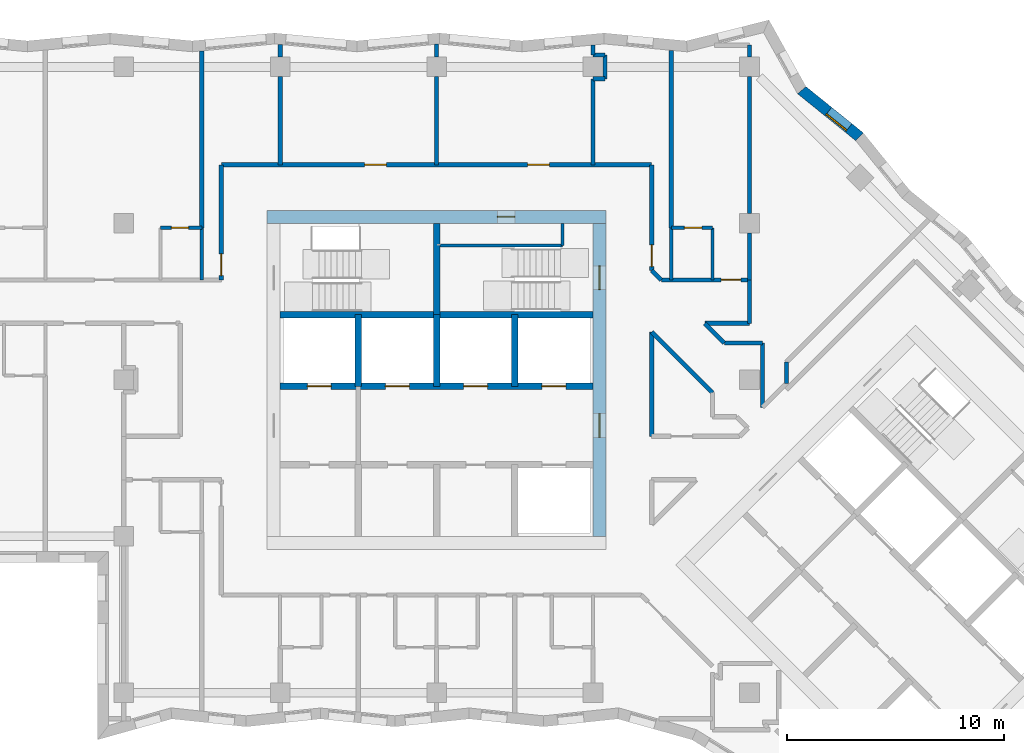
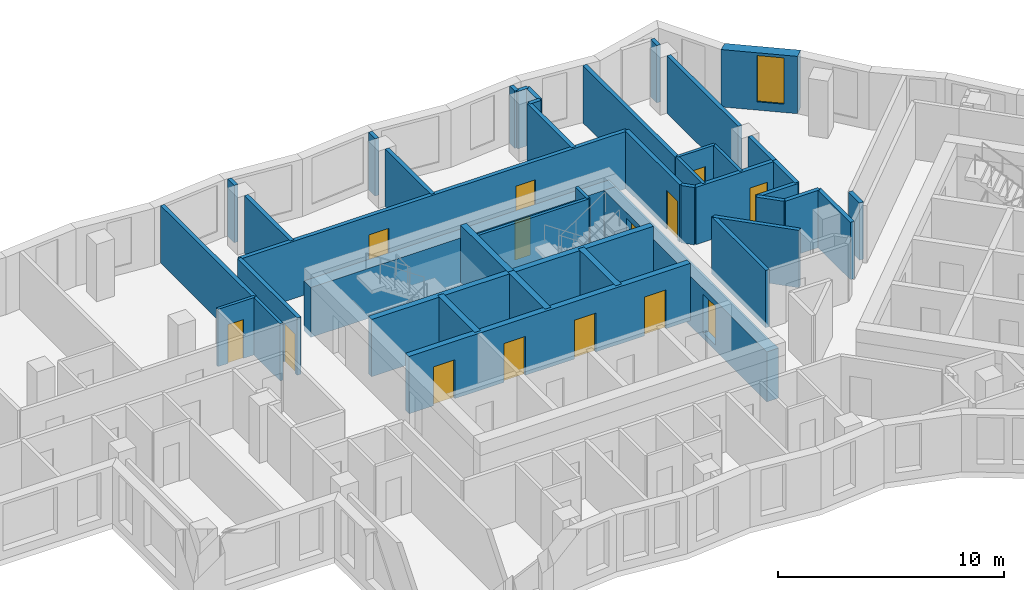
# One storey, part 6 of 12: 44 walls, 14 doors, 1 window, 15 openings.
"""IFC4 building model written with IfcOpenShell, lengths in metres."""

import ifcopenshell
import ifcopenshell.guid

model = None  # the IFC model being written
_history = None  # IfcOwnerHistory: only IFC2X3 demands one
_inside = {}  # id of a spatial element -> (the spatial element, [elements in it])
_under = {}  # id of a project, library or spatial element -> (it, [spatial elements below it])
_declared = {}  # id of a project -> (the project, [libraries it declares])
_typed = {}  # id of a type object -> (the type object, [elements of that type])
_made_of = {}  # id of a material, layer set ... -> (it, [elements and type objects made of it])


def new_model(schema):
    """Start an empty IFC model of exactly this schema.

    Asked for "IFC4X3", IfcOpenShell would pick the latest addendum, in which some entities
    have other attributes; the version numbers below select the first issue.
    IFC2X3 requires an IfcOwnerHistory on every rooted entity: one is made here for all.
    """
    global model, _history
    if schema == "IFC4X3":
        model = ifcopenshell.file(schema_version=(4, 3, 0, 0))
    else:
        model = ifcopenshell.file(schema=schema)
    _inside.clear()
    _under.clear()
    _declared.clear()
    _typed.clear()
    _made_of.clear()
    _history = None
    if model.schema == "IFC2X3":
        org = make("IfcOrganization", Name="unknown")
        user = make(
            "IfcPersonAndOrganization",
            ThePerson=make("IfcPerson", FamilyName="unknown"),
            TheOrganization=org,
        )
        app = make(
            "IfcApplication",
            ApplicationDeveloper=org,
            Version="unknown",
            ApplicationFullName="unknown",
            ApplicationIdentifier="unknown",
        )
        _history = make(
            "IfcOwnerHistory",
            OwningUser=user,
            OwningApplication=app,
            ChangeAction="ADDED",
            CreationDate=0,
        )
    return model


def make(cls, **values):
    """One entity of the class cls with the attributes given. An attribute that is None is left unset."""
    return model.create_entity(
        cls, **{name: value for name, value in values.items() if value is not None}
    )


def rooted(cls, **values):
    """An entity with a GlobalId (a new one), such as an element, a storey or a relation."""
    return make(cls, GlobalId=ifcopenshell.guid.new(), OwnerHistory=_history, **values)


def si_unit(unit_type, name, prefix=None):
    """IfcSIUnit, for example si_unit("LENGTHUNIT", "METRE", prefix="MILLI")."""
    return make("IfcSIUnit", UnitType=unit_type, Prefix=prefix, Name=name)


def assignment(units):
    """IfcUnitAssignment: the units of a project."""
    return None if units is None else make("IfcUnitAssignment", Units=units)


def point(xyz):
    """IfcCartesianPoint."""
    return None if xyz is None else make("IfcCartesianPoint", Coordinates=xyz)


def direction(xyz):
    """IfcDirection."""
    return None if xyz is None else make("IfcDirection", DirectionRatios=xyz)


def frame(location, z_axis=None, x_axis=None):
    """IfcAxis2Placement3D, a coordinate frame: its origin and axes. An axis left out is left unset."""
    return make(
        "IfcAxis2Placement3D",
        Location=point(location),
        Axis=direction(z_axis),
        RefDirection=direction(x_axis),
    )


def frame_2d(location, x_axis=None):
    """IfcAxis2Placement2D, a coordinate frame in the plane: its origin and x axis."""
    return make(
        "IfcAxis2Placement2D", Location=point(location), RefDirection=direction(x_axis)
    )


def origin():
    """The frame at (0, 0, 0) with its axes left unset."""
    return frame((0.0, 0.0, 0.0))


def place(relative_to, where):
    """IfcLocalPlacement: puts the frame where relative to a parent placement (None: the world)."""
    return make(
        "IfcLocalPlacement", PlacementRelTo=relative_to, RelativePlacement=where
    )


def context(
    kind, dimensions, precision=None, world=None, true_north=None, identifier=None
):
    """IfcGeometricRepresentationContext, for example the 3D "Model" context."""
    return make(
        "IfcGeometricRepresentationContext",
        ContextIdentifier=identifier,
        ContextType=kind,
        CoordinateSpaceDimension=dimensions,
        Precision=precision,
        WorldCoordinateSystem=world,
        TrueNorth=true_north,
    )


def subcontext(parent, identifier, kind, view, scale=None):
    """IfcGeometricRepresentationSubContext, for example "Body" below "Model"."""
    return make(
        "IfcGeometricRepresentationSubContext",
        ContextIdentifier=identifier,
        ContextType=kind,
        ParentContext=parent,
        TargetScale=scale,
        TargetView=view,
    )


def project(units=None, contexts=None):
    """IfcProject with its units and contexts."""
    return rooted(
        "IfcProject",
        Name="project",
        RepresentationContexts=contexts,
        UnitsInContext=assignment(units),
    )


def spatial(cls, under=None, at=None, **own):
    """A site, building, storey or space (cls), placed at a placement, below another one or the project."""
    s = rooted(cls, ObjectPlacement=at, **own)
    if under is not None:
        _under.setdefault(under.id(), (under, []))[1].append(s)
    return s


def polyline(points):
    """IfcPolyline through the points."""
    return make("IfcPolyline", Points=[point(p) for p in points])


def profile(cls, at=None, kind="AREA", **sizes):
    """A parametric profile (cls). Its sizes go by their IFC names, for example OverallWidth=200.0."""
    return make(cls, ProfileType=kind, Position=at, **sizes)


def rectangle(**sizes):
    """IfcRectangleProfileDef."""
    return profile("IfcRectangleProfileDef", **sizes)


def outline(outer, holes=None, kind="AREA"):
    """IfcArbitraryClosedProfileDef: a profile drawn as a closed curve; with holes, ...WithVoids."""
    if holes is None:
        return make("IfcArbitraryClosedProfileDef", ProfileType=kind, OuterCurve=outer)
    return make(
        "IfcArbitraryProfileDefWithVoids",
        ProfileType=kind,
        OuterCurve=outer,
        InnerCurves=holes,
    )


def extrude(swept, where, along, depth):
    """IfcExtrudedAreaSolid: the profile swept, set in the frame where, extruded along a direction by depth."""
    return make(
        "IfcExtrudedAreaSolid",
        SweptArea=swept,
        Position=where,
        ExtrudedDirection=direction(along),
        Depth=depth,
    )


def shape(context_of_items, identifier, shape_type, items):
    """IfcShapeRepresentation: the items that make up one representation, for example the "Body"."""
    return make(
        "IfcShapeRepresentation",
        ContextOfItems=context_of_items,
        RepresentationIdentifier=identifier,
        RepresentationType=shape_type,
        Items=items,
    )


def material(Name=None, Category=None):
    """IfcMaterial."""
    return make("IfcMaterial", Name=Name, Category=Category)


def layer(
    of_material, thickness, ventilated=None, Name=None, Category=None, Priority=None
):
    """IfcMaterialLayer: one layer of a wall or slab, of a material (None: an air gap)."""
    return make(
        "IfcMaterialLayer",
        Material=of_material,
        LayerThickness=thickness,
        IsVentilated=ventilated,
        Name=Name,
        Category=Category,
        Priority=Priority,
    )


def layer_set(layers, Name=None):
    """IfcMaterialLayerSet."""
    return make("IfcMaterialLayerSet", MaterialLayers=layers, LayerSetName=Name)


def made_of(thing, what):
    """Note that an element or type object is made of a material, layer set ...; save() writes the relation."""
    if what is not None:
        _made_of.setdefault(what.id(), (what, []))[1].append(thing)
    return thing


def type_object(cls, material=None, **own):
    """A type object (cls), such as IfcWallType, which elements share."""
    return made_of(rooted(cls, **own), material)


def element(
    cls,
    number,
    at=None,
    inside=None,
    cuts=None,
    type_object=None,
    material=None,
    context=None,
    identifier="Body",
    shape_type=None,
    held_by="IfcProductDefinitionShape",
    body=None,
    shapes=None,
    **own,
):
    """One element of the class cls, such as IfcWall. Its Tag is "e" and its number.

    at: its placement. inside: the storey or other place that contains it. cuts: it is an
    opening in that element (IfcRelVoidsElement). A single representation is given by context,
    identifier, shape_type and body (its items); several are given by shapes. held_by: the class
    of the entity that holds the representations. save() writes the other relations.
    """
    e = rooted(cls, Tag="e%d" % number, ObjectPlacement=at, **own)
    if body is not None:
        shapes = [shape(context, identifier, shape_type, body)]
    if shapes is not None:
        e.Representation = make(held_by, Representations=shapes)
    if inside is not None:
        _inside.setdefault(inside.id(), (inside, []))[1].append(e)
    if cuts is not None:
        rooted(
            "IfcRelVoidsElement", RelatingBuildingElement=cuts, RelatedOpeningElement=e
        )
    if type_object is not None:
        _typed.setdefault(type_object.id(), (type_object, []))[1].append(e)
    return made_of(e, material)


def fill(opening, filler):
    """IfcRelFillsElement: the door or window that sits in an opening."""
    return rooted(
        "IfcRelFillsElement",
        RelatingOpeningElement=opening,
        RelatedBuildingElement=filler,
    )


def aggregate(whole, parts):
    """IfcRelAggregates: a whole, such as a stair, and the parts it consists of."""
    return rooted("IfcRelAggregates", RelatingObject=whole, RelatedObjects=parts)


def save(model, path):
    """Write the relations noted so far, then the file.

    IfcRelAggregates (storeys below a building ...), IfcRelContainedInSpatialStructure (elements
    in a storey), IfcRelDefinesByType, IfcRelAssociatesMaterial and IfcRelDeclares: one each for
    every whole, place, type object, material and project.
    """
    for whole, parts in _under.values():
        aggregate(whole, parts)
    for where, things in _inside.values():
        rooted(
            "IfcRelContainedInSpatialStructure",
            RelatedElements=things,
            RelatingStructure=where,
        )
    for kind, things in _typed.values():
        rooted("IfcRelDefinesByType", RelatedObjects=things, RelatingType=kind)
    for what, things in _made_of.values():
        rooted("IfcRelAssociatesMaterial", RelatedObjects=things, RelatingMaterial=what)
    for by, libraries in _declared.values():
        rooted("IfcRelDeclares", RelatingContext=by, RelatedDefinitions=libraries)
    model.write(path)


model = new_model("IFC4")

# Units and contexts
model_context = context("Model", 3, precision=1e-05, world=origin(), true_north=direction((0.0, 1.0)))
body_context = subcontext(model_context, "Body", "Model", "MODEL_VIEW")
ifc_project = project(units=[si_unit("LENGTHUNIT", "METRE"), si_unit("AREAUNIT", "SQUARE_METRE"), si_unit("VOLUMEUNIT", "CUBIC_METRE"), si_unit("PLANEANGLEUNIT", "RADIAN"), si_unit("MASSUNIT", "GRAM", prefix="KILO")], contexts=[model_context])

# Site, building, storey
site_placement = place(None, origin())
site = spatial("IfcSite", under=ifc_project, at=site_placement, CompositionType="ELEMENT")
building_placement = place(site_placement, origin())
building = spatial("IfcBuilding", under=site, at=building_placement, Name="Windrow Commons", CompositionType="ELEMENT")
storey_placement = place(building_placement, frame((0.0, 0.0, 142.2)))
storey = spatial("IfcBuildingStorey", under=building, at=storey_placement, Name="L38", CompositionType="ELEMENT", Elevation=142.2)

# Wall, opening, window
ifc_material_1 = material(Name="Brick masonry, red clay brick", Category="masonry")
ifc_layer_1 = layer(ifc_material_1, 0.5)
ifc_layer_set_1 = layer_set([ifc_layer_1], Name="Brick facade wall 500")
wall_type_1 = type_object("IfcWallType", Name="Brick facade wall 500", PredefinedType="SOLIDWALL", material=ifc_layer_set_1)
wall_1_placement = place(storey_placement, frame((84.2655, 68.7866, 0.0), z_axis=(0.0, 0.0, 1.0), x_axis=(-0.7783202723, 0.6278674651, 0.0)))
wall_1 = element("IfcWall", 1, at=wall_1_placement, inside=storey, type_object=wall_type_1, Name="Brick facade wall L38 17", PredefinedType="SOLIDWALL", context=body_context, shape_type="SweptSolid", body=[
    extrude(outline(polyline([(-0.0267, -0.25), (3.3671, -0.25), (3.4643, 0.25), (0.0267, 0.25), (-0.0267, -0.25)])), origin(), (0.0, 0.0, 1.0), 3.1),
])
opening_1_placement = place(wall_1_placement, frame((0.6469, 0.0, 0.45)))
opening_1 = element("IfcOpeningElement", 2, at=opening_1_placement, cuts=wall_1, Name="Opening W7E", PredefinedType="OPENING", context=body_context, shape_type="SweptSolid", body=[
    extrude(rectangle(XDim=1.2, YDim=2.5, at=frame_2d((0.6, 1.25))), frame((0.0, 0.26, 0.0), z_axis=(0.0, -1.0, 0.0), x_axis=(1.0, 0.0, 0.0)), (0.0, 0.0, 1.0), 0.52),
])
ifc_material_2 = material(Name="Clear float glass in anodised aluminium frame", Category="aluminium")
window_type = type_object("IfcWindowType", Name="Window W7 notch 1200x2500", PartitioningType="SINGLE_PANEL", PredefinedType="WINDOW", material=ifc_material_2)
window_placement = place(opening_1_placement, origin())
window = element("IfcWindow", 3, at=window_placement, inside=storey, type_object=window_type, Name="Window L38 17.1", OverallHeight=2.5, OverallWidth=1.2, PartitioningType="SINGLE_PANEL", PredefinedType="WINDOW", context=body_context, shape_type="SweptSolid", body=[
    extrude(rectangle(XDim=1.2, YDim=2.5, at=frame_2d((0.6, 1.25))), frame((0.0, 0.18, 0.0), z_axis=(0.0, -1.0, 0.0), x_axis=(1.0, 0.0, 0.0)), (0.0, 0.0, 1.0), 0.06),
])
fill(opening_1, window)

# Wall, openings, doors
ifc_material_3 = material(Name="Blockwork partition", Category="masonry")
ifc_layer_2 = layer(ifc_material_3, 0.2)
ifc_layer_set_2 = layer_set([ifc_layer_2], Name="IW-CORRIDOR-200")
wall_type_2 = type_object("IfcWallType", Name="IW-CORRIDOR-200", PredefinedType="PARTITIONING", material=ifc_layer_set_2)
wall_2_placement = place(storey_placement, frame((54.9, 67.5, 0.0), z_axis=(0.0, 0.0, 1.0), x_axis=(1.0, 0.0, 0.0)))
wall_2 = element("IfcWall", 4, at=wall_2_placement, inside=storey, type_object=wall_type_2, Name="W-L38-W000", PredefinedType="PARTITIONING", context=body_context, shape_type="SweptSolid", body=[
    extrude(rectangle(XDim=19.8, YDim=0.2, at=frame_2d((9.9, 0.0))), origin(), (0.0, 0.0, 1.0), 3.1),
])
opening_2_placement = place(wall_2_placement, frame((6.5862, 0.0, 0.0)))
opening_2 = element("IfcOpeningElement", 5, at=opening_2_placement, cuts=wall_2, Name="Opening D310F", PredefinedType="OPENING", context=body_context, shape_type="SweptSolid", body=[
    extrude(rectangle(XDim=1.0, YDim=2.1, at=frame_2d((0.5, 1.05))), frame((0.0, 0.11, 0.0), z_axis=(0.0, -1.0, 0.0), x_axis=(1.0, 0.0, 0.0)), (0.0, 0.0, 1.0), 0.22),
])
opening_3_placement = place(wall_2_placement, frame((14.0887, 0.0, 0.0)))
opening_3 = element("IfcOpeningElement", 6, at=opening_3_placement, cuts=wall_2, Name="Opening D310F", PredefinedType="OPENING", context=body_context, shape_type="SweptSolid", body=[
    extrude(rectangle(XDim=1.0, YDim=2.1, at=frame_2d((0.5, 1.05))), frame((0.0, 0.11, 0.0), z_axis=(0.0, -1.0, 0.0), x_axis=(1.0, 0.0, 0.0)), (0.0, 0.0, 1.0), 0.22),
])
ifc_material_4 = material(Name="Timber door leaf", Category="wood")
door_type_1 = type_object("IfcDoorType", Name="DT-AMENITY-1000", OperationType="SINGLE_SWING_LEFT", PredefinedType="DOOR", material=ifc_material_4)
door_1_placement = place(opening_2_placement, origin())
door_1 = element("IfcDoor", 7, at=door_1_placement, inside=storey, type_object=door_type_1, Name="D-L38-D031", OperationType="SINGLE_SWING_RIGHT", OverallHeight=2.1, OverallWidth=1.0, PredefinedType="DOOR", context=body_context, shape_type="SweptSolid", body=[
    extrude(rectangle(XDim=1.0, YDim=2.1, at=frame_2d((0.5, 1.05))), frame((0.0, 0.025, 0.0), z_axis=(0.0, -1.0, 0.0), x_axis=(1.0, 0.0, 0.0)), (0.0, 0.0, 1.0), 0.05),
])
fill(opening_2, door_1)
door_2_placement = place(opening_3_placement, origin())
door_2 = element("IfcDoor", 8, at=door_2_placement, inside=storey, type_object=door_type_1, Name="D-L38-D032", OperationType="SINGLE_SWING_RIGHT", OverallHeight=2.1, OverallWidth=1.0, PredefinedType="DOOR", context=body_context, shape_type="SweptSolid", body=[
    extrude(rectangle(XDim=1.0, YDim=2.1, at=frame_2d((0.5, 1.05))), frame((0.0, 0.025, 0.0), z_axis=(0.0, -1.0, 0.0), x_axis=(1.0, 0.0, 0.0)), (0.0, 0.0, 1.0), 0.05),
])
fill(opening_3, door_2)

# Wall, opening, door
wall_3_placement = place(storey_placement, frame((54.9, 62.202, 0.0), z_axis=(0.0, 0.0, 1.0), x_axis=(0.0, 1.0, 0.0)))
wall_3 = element("IfcWall", 9, at=wall_3_placement, inside=storey, type_object=wall_type_2, Name="W-L38-W031", PredefinedType="PARTITIONING", context=body_context, shape_type="SweptSolid", body=[
    extrude(rectangle(XDim=5.298, YDim=0.2, at=frame_2d((2.649, 0.0))), origin(), (0.0, 0.0, 1.0), 3.1),
])
opening_4_placement = place(wall_3_placement, frame((0.1917, 0.0, 0.0)))
opening_4 = element("IfcOpeningElement", 10, at=opening_4_placement, cuts=wall_3, Name="Opening D310F", PredefinedType="OPENING", context=body_context, shape_type="SweptSolid", body=[
    extrude(rectangle(XDim=1.0, YDim=2.1, at=frame_2d((0.5, 1.05))), frame((0.0, 0.11, 0.0), z_axis=(0.0, -1.0, 0.0), x_axis=(1.0, 0.0, 0.0)), (0.0, 0.0, 1.0), 0.22),
])
door_3_placement = place(opening_4_placement, origin())
door_3 = element("IfcDoor", 11, at=door_3_placement, inside=storey, type_object=door_type_1, Name="D-L38-D019", OperationType="SINGLE_SWING_LEFT", OverallHeight=2.1, OverallWidth=1.0, PredefinedType="DOOR", context=body_context, shape_type="SweptSolid", body=[
    extrude(rectangle(XDim=1.0, YDim=2.1, at=frame_2d((0.5, 1.05))), frame((0.0, 0.025, 0.0), z_axis=(0.0, -1.0, 0.0), x_axis=(1.0, 0.0, 0.0)), (0.0, 0.0, 1.0), 0.05),
])
fill(opening_4, door_3)

wall_4_placement = place(storey_placement, frame((74.7, 62.642, 0.0), z_axis=(0.0, 0.0, 1.0), x_axis=(0.0, 1.0, 0.0)))
wall_4 = element("IfcWall", 12, at=wall_4_placement, inside=storey, type_object=wall_type_2, Name="W-L38-W035", PredefinedType="PARTITIONING", context=body_context, shape_type="SweptSolid", body=[
    extrude(rectangle(XDim=4.858, YDim=0.2, at=frame_2d((2.429, 0.0))), origin(), (0.0, 0.0, 1.0), 3.1),
])
opening_5_placement = place(wall_4_placement, frame((0.169, 0.0, 0.0)))
opening_5 = element("IfcOpeningElement", 13, at=opening_5_placement, cuts=wall_4, Name="Opening D310F", PredefinedType="OPENING", context=body_context, shape_type="SweptSolid", body=[
    extrude(rectangle(XDim=1.0, YDim=2.1, at=frame_2d((0.5, 1.05))), frame((0.0, 0.11, 0.0), z_axis=(0.0, -1.0, 0.0), x_axis=(1.0, 0.0, 0.0)), (0.0, 0.0, 1.0), 0.22),
])
door_4_placement = place(opening_5_placement, origin())
door_4 = element("IfcDoor", 14, at=door_4_placement, inside=storey, type_object=door_type_1, Name="D-L38-D020", OperationType="SINGLE_SWING_RIGHT", OverallHeight=2.1, OverallWidth=1.0, PredefinedType="DOOR", context=body_context, shape_type="SweptSolid", body=[
    extrude(rectangle(XDim=1.0, YDim=2.1, at=frame_2d((0.5, 1.05))), frame((0.0, 0.025, 0.0), z_axis=(0.0, -1.0, 0.0), x_axis=(1.0, 0.0, 0.0)), (0.0, 0.0, 1.0), 0.05),
])
fill(opening_5, door_4)

# Wall
wall_5_placement = place(storey_placement, frame((74.7, 55.002, 0.0), z_axis=(0.0, 0.0, 1.0), x_axis=(0.0, 1.0, 0.0)))
element("IfcWall", 15, at=wall_5_placement, inside=storey, type_object=wall_type_2, Name="W-L38-W036", PredefinedType="PARTITIONING", context=body_context, shape_type="SweptSolid", body=[
    extrude(rectangle(XDim=4.808, YDim=0.2, at=frame_2d((2.404, 0.0))), origin(), (0.0, 0.0, 1.0), 3.1),
])

# Wall, opening, door
wall_6_placement = place(storey_placement, frame((75.142, 62.2, 0.0), z_axis=(0.0, 0.0, 1.0), x_axis=(1.0, 0.0, 0.0)))
wall_6 = element("IfcWall", 16, at=wall_6_placement, inside=storey, type_object=wall_type_2, Name="W-L38-W040", PredefinedType="PARTITIONING", context=body_context, shape_type="SweptSolid", body=[
    extrude(rectangle(XDim=4.058, YDim=0.2, at=frame_2d((2.029, 0.0))), origin(), (0.0, 0.0, 1.0), 3.1),
])
opening_6_placement = place(wall_6_placement, frame((2.758, 0.0, 0.0)))
opening_6 = element("IfcOpeningElement", 17, at=opening_6_placement, cuts=wall_6, Name="Opening D109S", PredefinedType="OPENING", context=body_context, shape_type="SweptSolid", body=[
    extrude(rectangle(XDim=0.9, YDim=2.1, at=frame_2d((0.45, 1.05))), frame((0.0, 0.11, 0.0), z_axis=(0.0, -1.0, 0.0), x_axis=(1.0, 0.0, 0.0)), (0.0, 0.0, 1.0), 0.22),
])
ifc_material_5 = material(Name="Timber door leaf", Category="wood")
door_type_2 = type_object("IfcDoorType", Name="DT-BEDROOM-900", OperationType="SINGLE_SWING_LEFT", PredefinedType="DOOR", material=ifc_material_5)
door_5_placement = place(opening_6_placement, origin())
door_5 = element("IfcDoor", 18, at=door_5_placement, inside=storey, type_object=door_type_2, Name="D-L38-D021", OperationType="SINGLE_SWING_LEFT", OverallHeight=2.1, OverallWidth=0.9, PredefinedType="DOOR", context=body_context, shape_type="SweptSolid", body=[
    extrude(rectangle(XDim=0.9, YDim=2.1, at=frame_2d((0.45, 1.05))), frame((0.0, 0.025, 0.0), z_axis=(0.0, -1.0, 0.0), x_axis=(1.0, 0.0, 0.0)), (0.0, 0.0, 1.0), 0.05),
])
fill(opening_6, door_5)

# Walls
wall_7_placement = place(storey_placement, frame((74.6989, 59.8069, 0.0), z_axis=(0.0, 0.0, 1.0), x_axis=(0.7071067812, -0.7071067812, 0.0)))
element("IfcWall", 19, at=wall_7_placement, inside=storey, type_object=wall_type_2, Name="W-L38-W044", PredefinedType="PARTITIONING", context=body_context, shape_type="SweptSolid", body=[
    extrude(rectangle(XDim=3.957, YDim=0.2, at=frame_2d((1.9785, 0.0))), origin(), (0.0, 0.0, 1.0), 3.1),
])
wall_8_placement = place(storey_placement, frame((79.8, 56.338, 0.0), z_axis=(0.0, 0.0, 1.0), x_axis=(0.0, 1.0, 0.0)))
element("IfcWall", 20, at=wall_8_placement, inside=storey, type_object=wall_type_2, Name="W-L38-W052", PredefinedType="PARTITIONING", context=body_context, shape_type="SweptSolid", body=[
    extrude(rectangle(XDim=2.962, YDim=0.2, at=frame_2d((1.481, 0.0))), origin(), (0.0, 0.0, 1.0), 3.1),
])
wall_9_placement = place(storey_placement, frame((77.144, 60.2, 0.0), z_axis=(0.0, 0.0, 1.0), x_axis=(1.0, 0.0, 0.0)))
element("IfcWall", 21, at=wall_9_placement, inside=storey, type_object=wall_type_2, Name="W-L38-W104", PredefinedType="PARTITIONING", context=body_context, shape_type="SweptSolid", body=[
    extrude(rectangle(XDim=2.056, YDim=0.2, at=frame_2d((1.028, 0.0))), origin(), (0.0, 0.0, 1.0), 3.1),
])
wall_10_placement = place(storey_placement, frame((79.2, 60.2, 0.0), z_axis=(0.0, 0.0, 1.0), x_axis=(0.0, 1.0, 0.0)))
element("IfcWall", 22, at=wall_10_placement, inside=storey, type_object=wall_type_2, Name="W-L38-W111", PredefinedType="PARTITIONING", context=body_context, shape_type="SweptSolid", body=[
    extrude(rectangle(XDim=2.0, YDim=0.2, at=frame_2d((1.0, 0.0))), origin(), (0.0, 0.0, 1.0), 3.1),
])
wall_11_placement = place(storey_placement, frame((78.042, 59.3, 0.0), z_axis=(0.0, 0.0, 1.0), x_axis=(1.0, 0.0, 0.0)))
element("IfcWall", 23, at=wall_11_placement, inside=storey, type_object=wall_type_2, Name="W-L38-W131", PredefinedType="PARTITIONING", context=body_context, shape_type="SweptSolid", body=[
    extrude(rectangle(XDim=1.758, YDim=0.2, at=frame_2d((0.879, 0.0))), origin(), (0.0, 0.0, 1.0), 3.1),
])
wall_12_placement = place(storey_placement, frame((77.1391, 60.1951, 0.0), z_axis=(0.0, 0.0, 1.0), x_axis=(0.7071067812, -0.7071067812, 0.0)))
element("IfcWall", 24, at=wall_12_placement, inside=storey, type_object=wall_type_2, Name="W-L38-W143", PredefinedType="PARTITIONING", context=body_context, shape_type="SweptSolid", body=[
    extrude(rectangle(XDim=1.27, YDim=0.2, at=frame_2d((0.635, 0.0))), origin(), (0.0, 0.0, 1.0), 3.1),
])
wall_13_placement = place(storey_placement, frame((74.6971, 62.6371, 0.0), z_axis=(0.0, 0.0, 1.0), x_axis=(0.7071067812, -0.7071067812, 0.0)))
element("IfcWall", 25, at=wall_13_placement, inside=storey, type_object=wall_type_2, Name="W-L38-W157", PredefinedType="PARTITIONING", context=body_context, shape_type="SweptSolid", body=[
    extrude(rectangle(XDim=0.6223, YDim=0.2, at=frame_2d((0.3111, 0.0))), origin(), (0.0, 0.0, 1.0), 3.1),
])
ifc_material_6 = material(Name="Blockwork partition", Category="masonry")
ifc_layer_3 = layer(ifc_material_6, 0.15)
ifc_layer_set_3 = layer_set([ifc_layer_3], Name="IW-ENSUITE-150")
wall_type_3 = type_object("IfcWallType", Name="IW-ENSUITE-150", PredefinedType="PARTITIONING", material=ifc_layer_set_3)
for number, where, z_axis, x_axis, name in (
    (26, (54.0, 62.2, 0.0), (0.0, 0.0, 1.0), (0.0, 1.0, 0.0), "W-L38-W087"),
    (27, (75.6, 62.2, 0.0), (0.0, 0.0, 1.0), (0.0, 1.0, 0.0), "W-L38-W088"),
    (28, (77.5, 62.2, 0.0), (0.0, 0.0, 1.0), (0.0, 1.0, 0.0), "W-L38-W089"),
):
    element("IfcWall", number, at=place(storey_placement, frame(where, z_axis=z_axis, x_axis=x_axis)), inside=storey, type_object=wall_type_3, Name=name, PredefinedType="PARTITIONING", context=body_context, shape_type="SweptSolid", body=[
        extrude(rectangle(XDim=2.4, YDim=0.15, at=frame_2d((1.2, 0.0))), origin(), (0.0, 0.0, 1.0), 3.1),
    ])

# Wall, opening, door
wall_14_placement = place(storey_placement, frame((75.6, 64.6, 0.0), z_axis=(0.0, 0.0, 1.0), x_axis=(1.0, 0.0, 0.0)))
wall_14 = element("IfcWall", 29, at=wall_14_placement, inside=storey, type_object=wall_type_3, Name="W-L38-W120", PredefinedType="PARTITIONING", context=body_context, shape_type="SweptSolid", body=[
    extrude(rectangle(XDim=1.9, YDim=0.15, at=frame_2d((0.95, 0.0))), origin(), (0.0, 0.0, 1.0), 3.1),
])
opening_7_placement = place(wall_14_placement, frame((0.6069, 0.0, 0.0)))
opening_7 = element("IfcOpeningElement", 30, at=opening_7_placement, cuts=wall_14, Name="Opening D208N", PredefinedType="OPENING", context=body_context, shape_type="SweptSolid", body=[
    extrude(rectangle(XDim=0.8, YDim=2.1, at=frame_2d((0.4, 1.05))), frame((0.0, 0.085, 0.0), z_axis=(0.0, -1.0, 0.0), x_axis=(1.0, 0.0, 0.0)), (0.0, 0.0, 1.0), 0.17),
])
ifc_material_7 = material(Name="Timber door leaf", Category="wood")
door_type_3 = type_object("IfcDoorType", Name="DT-ENSUITE-800", OperationType="SINGLE_SWING_LEFT", PredefinedType="DOOR", material=ifc_material_7)
door_6_placement = place(opening_7_placement, origin())
door_6 = element("IfcDoor", 31, at=door_6_placement, inside=storey, type_object=door_type_3, Name="D-L38-D022", OperationType="SINGLE_SWING_RIGHT", OverallHeight=2.1, OverallWidth=0.8, PredefinedType="DOOR", context=body_context, shape_type="SweptSolid", body=[
    extrude(rectangle(XDim=0.8, YDim=2.1, at=frame_2d((0.4, 1.05))), frame((0.0, 0.025, 0.0), z_axis=(0.0, -1.0, 0.0), x_axis=(1.0, 0.0, 0.0)), (0.0, 0.0, 1.0), 0.05),
])
fill(opening_7, door_6)

wall_15_placement = place(storey_placement, frame((52.1, 64.6, 0.0), z_axis=(0.0, 0.0, 1.0), x_axis=(1.0, 0.0, 0.0)))
wall_15 = element("IfcWall", 32, at=wall_15_placement, inside=storey, type_object=wall_type_3, Name="W-L38-W124", PredefinedType="PARTITIONING", context=body_context, shape_type="SweptSolid", body=[
    extrude(rectangle(XDim=1.9, YDim=0.15, at=frame_2d((0.95, 0.0))), origin(), (0.0, 0.0, 1.0), 3.1),
])
opening_8_placement = place(wall_15_placement, frame((0.4931, 0.0, 0.0)))
opening_8 = element("IfcOpeningElement", 33, at=opening_8_placement, cuts=wall_15, Name="Opening D208N", PredefinedType="OPENING", context=body_context, shape_type="SweptSolid", body=[
    extrude(rectangle(XDim=0.8, YDim=2.1, at=frame_2d((0.4, 1.05))), frame((0.0, 0.085, 0.0), z_axis=(0.0, -1.0, 0.0), x_axis=(1.0, 0.0, 0.0)), (0.0, 0.0, 1.0), 0.17),
])
door_7_placement = place(opening_8_placement, origin())
door_7 = element("IfcDoor", 34, at=door_7_placement, inside=storey, type_object=door_type_3, Name="D-L38-D018", OperationType="SINGLE_SWING_RIGHT", OverallHeight=2.1, OverallWidth=0.8, PredefinedType="DOOR", context=body_context, shape_type="SweptSolid", body=[
    extrude(rectangle(XDim=0.8, YDim=2.1, at=frame_2d((0.4, 1.05))), frame((0.0, 0.025, 0.0), z_axis=(0.0, -1.0, 0.0), x_axis=(1.0, 0.0, 0.0)), (0.0, 0.0, 1.0), 0.05),
])
fill(opening_8, door_7)

# Walls
ifc_material_8 = material(Name="Blockwork partition", Category="masonry")
ifc_layer_4 = layer(ifc_material_8, 0.2)
ifc_layer_set_4 = layer_set([ifc_layer_4], Name="IW-PARTY-200")
wall_type_4 = type_object("IfcWallType", Name="IW-PARTY-200", PredefinedType="PARTITIONING", material=ifc_layer_set_4)
wall_16_placement = place(storey_placement, frame((75.6, 64.6, 0.0), z_axis=(0.0, 0.0, 1.0), x_axis=(0.0, 1.0, 0.0)))
element("IfcWall", 35, at=wall_16_placement, inside=storey, type_object=wall_type_4, Name="W-L38-W016", PredefinedType="PARTITIONING", context=body_context, shape_type="SweptSolid", body=[
    extrude(rectangle(XDim=8.1648, YDim=0.2, at=frame_2d((4.0824, 0.0))), origin(), (0.0, 0.0, 1.0), 3.1),
])
wall_17_placement = place(storey_placement, frame((54.0, 64.6, 0.0), z_axis=(0.0, 0.0, 1.0), x_axis=(0.0, 1.0, 0.0)))
element("IfcWall", 36, at=wall_17_placement, inside=storey, type_object=wall_type_4, Name="W-L38-W018", PredefinedType="PARTITIONING", context=body_context, shape_type="SweptSolid", body=[
    extrude(rectangle(XDim=8.1398, YDim=0.2, at=frame_2d((4.0699, 0.0))), origin(), (0.0, 0.0, 1.0), 3.1),
])
wall_18_placement = place(storey_placement, frame((79.2, 65.25, 0.0), z_axis=(0.0, 0.0, 1.0), x_axis=(0.0, 1.0, 0.0)))
element("IfcWall", 37, at=wall_18_placement, inside=storey, type_object=wall_type_4, Name="W-L38-W024", PredefinedType="PARTITIONING", context=body_context, shape_type="SweptSolid", body=[
    extrude(rectangle(XDim=6.3, YDim=0.2, at=frame_2d((3.15, 0.0))), origin(), (0.0, 0.0, 1.0), 3.1),
])
for number, where, z_axis, x_axis, name in (
    (38, (57.6, 67.5, 0.0), (0.0, 0.0, 1.0), (0.0, 1.0, 0.0), "W-L38-W041"),
    (39, (64.8, 67.5, 0.0), (0.0, 0.0, 1.0), (0.0, 1.0, 0.0), "W-L38-W042"),
):
    element("IfcWall", number, at=place(storey_placement, frame(where, z_axis=z_axis, x_axis=x_axis)), inside=storey, type_object=wall_type_4, Name=name, PredefinedType="PARTITIONING", context=body_context, shape_type="SweptSolid", body=[
        extrude(rectangle(XDim=4.05, YDim=0.2, at=frame_2d((2.025, 0.0))), origin(), (0.0, 0.0, 1.0), 3.1),
    ])
wall_19_placement = place(storey_placement, frame((72.0, 67.5, 0.0), z_axis=(0.0, 0.0, 1.0), x_axis=(0.0, 1.0, 0.0)))
element("IfcWall", 40, at=wall_19_placement, inside=storey, type_object=wall_type_4, Name="W-L38-W045", PredefinedType="PARTITIONING", context=body_context, shape_type="SweptSolid", body=[
    extrude(rectangle(XDim=3.946, YDim=0.2, at=frame_2d((1.973, 0.0))), origin(), (0.0, 0.0, 1.0), 3.1),
])
wall_20_placement = place(storey_placement, frame((79.2, 62.2, 0.0), z_axis=(0.0, 0.0, 1.0), x_axis=(0.0, 1.0, 0.0)))
element("IfcWall", 41, at=wall_20_placement, inside=storey, type_object=wall_type_4, Name="W-L38-W101", PredefinedType="PARTITIONING", context=body_context, shape_type="SweptSolid", body=[
    extrude(rectangle(XDim=2.15, YDim=0.2, at=frame_2d((1.075, 0.0))), origin(), (0.0, 0.0, 1.0), 3.1),
])
wall_21_placement = place(storey_placement, frame((72.55, 71.446, 0.0), z_axis=(0.0, 0.0, 1.0), x_axis=(0.0, 1.0, 0.0)))
element("IfcWall", 42, at=wall_21_placement, inside=storey, type_object=wall_type_4, Name="W-L38-W148", PredefinedType="PARTITIONING", context=body_context, shape_type="SweptSolid", body=[
    extrude(rectangle(XDim=1.108, YDim=0.2, at=frame_2d((0.554, 0.0))), origin(), (0.0, 0.0, 1.0), 3.1),
])
wall_22_placement = place(storey_placement, frame((80.9, 57.436, 0.0), z_axis=(0.0, 0.0, 1.0), x_axis=(0.0, 1.0, 0.0)))
element("IfcWall", 43, at=wall_22_placement, inside=storey, type_object=wall_type_4, Name="W-L38-W149", PredefinedType="PARTITIONING", context=body_context, shape_type="SweptSolid", body=[
    extrude(rectangle(XDim=0.99, YDim=0.2, at=frame_2d((0.495, 0.0))), origin(), (0.0, 0.0, 1.0), 3.1),
])
for number, where, z_axis, x_axis, name in (
    (44, (72.0, 71.45, 0.0), (0.0, 0.0, 1.0), (1.0, 0.0, 0.0), "W-L38-W164"),
    (45, (72.0, 72.55, 0.0), (0.0, 0.0, 1.0), (1.0, 0.0, 0.0), "W-L38-W165"),
    (46, (79.2, 72.45, 0.0), (0.0, 0.0, 1.0), (0.0, 1.0, 0.0), "W-L38-W166"),
):
    element("IfcWall", number, at=place(storey_placement, frame(where, z_axis=z_axis, x_axis=x_axis)), inside=storey, type_object=wall_type_4, Name=name, PredefinedType="PARTITIONING", context=body_context, shape_type="SweptSolid", body=[
        extrude(rectangle(XDim=0.55, YDim=0.2, at=frame_2d((0.275, 0.0))), origin(), (0.0, 0.0, 1.0), 3.1),
    ])
wall_23_placement = place(storey_placement, frame((64.8, 72.45, 0.0), z_axis=(0.0, 0.0, 1.0), x_axis=(0.0, 1.0, 0.0)))
element("IfcWall", 47, at=wall_23_placement, inside=storey, type_object=wall_type_4, Name="W-L38-W167", PredefinedType="PARTITIONING", context=body_context, shape_type="SweptSolid", body=[
    extrude(rectangle(XDim=0.5963, YDim=0.2, at=frame_2d((0.2982, 0.0))), origin(), (0.0, 0.0, 1.0), 3.1),
])
wall_24_placement = place(storey_placement, frame((57.6, 72.45, 0.0), z_axis=(0.0, 0.0, 1.0), x_axis=(0.0, 1.0, 0.0)))
element("IfcWall", 48, at=wall_24_placement, inside=storey, type_object=wall_type_4, Name="W-L38-W169", PredefinedType="PARTITIONING", context=body_context, shape_type="SweptSolid", body=[
    extrude(rectangle(XDim=0.5848, YDim=0.2, at=frame_2d((0.2924, 0.0))), origin(), (0.0, 0.0, 1.0), 3.1),
])
wall_25_placement = place(storey_placement, frame((72.0, 72.554, 0.0), z_axis=(0.0, 0.0, 1.0), x_axis=(0.0, 1.0, 0.0)))
element("IfcWall", 49, at=wall_25_placement, inside=storey, type_object=wall_type_4, Name="W-L38-W181", PredefinedType="PARTITIONING", context=body_context, shape_type="SweptSolid", body=[
    extrude(rectangle(XDim=0.4559, YDim=0.2, at=frame_2d((0.228, 0.0))), origin(), (0.0, 0.0, 1.0), 3.1),
])

# Wall, opening, door
ifc_material_9 = material(Name="Concrete C50/60", Category="concrete")
ifc_layer_5 = layer(ifc_material_9, 0.6)
ifc_layer_set_5 = layer_set([ifc_layer_5], Name="RC CORE WALL 600 C50/60")
wall_type_5 = type_object("IfcWallType", Name="RC CORE WALL 600 C50/60", PredefinedType="SHEAR", material=ifc_layer_set_5)
wall_26_placement = place(storey_placement, frame((57.0, 65.1, -0.3), z_axis=(0.0, 0.0, 1.0), x_axis=(1.0, 0.0, 0.0)))
wall_26 = element("IfcWall", 50, at=wall_26_placement, inside=storey, type_object=wall_type_5, Name="Core A wall outer-N", PredefinedType="SHEAR", context=body_context, shape_type="SweptSolid", body=[
    extrude(rectangle(XDim=15.6, YDim=0.6, at=frame_2d((7.8, 0.0))), origin(), (0.0, 0.0, 1.0), 2.7),
])
opening_9_placement = place(wall_26_placement, frame((10.6, 0.0, 0.3)))
opening_9 = element("IfcOpeningElement", 51, at=opening_9_placement, cuts=wall_26, Name="Opening D9", PredefinedType="OPENING", context=body_context, shape_type="SweptSolid", body=[
    extrude(rectangle(XDim=0.8, YDim=2.1, at=frame_2d((0.4, 1.05))), frame((0.0, 0.31, 0.0), z_axis=(0.0, -1.0, 0.0), x_axis=(1.0, 0.0, 0.0)), (0.0, 0.0, 1.0), 0.62),
])
ifc_material_10 = material(Name="Steel fire door leaf", Category="steel")
door_type_4 = type_object("IfcDoorType", Name="Riser access door 800", OperationType="SINGLE_SWING_LEFT", PredefinedType="DOOR", material=ifc_material_10)
door_8_placement = place(opening_9_placement, origin())
door_8 = element("IfcDoor", 52, at=door_8_placement, inside=storey, type_object=door_type_4, Name="Riser access door", OperationType="SINGLE_SWING_RIGHT", OverallHeight=2.1, OverallWidth=0.8, PredefinedType="DOOR", context=body_context, shape_type="SweptSolid", body=[
    extrude(rectangle(XDim=0.8, YDim=2.1, at=frame_2d((0.4, 1.05))), frame((0.0, 0.025, 0.0), z_axis=(0.0, -1.0, 0.0), x_axis=(1.0, 0.0, 0.0)), (0.0, 0.0, 1.0), 0.05),
])
fill(opening_9, door_8)

# Wall, openings, doors
wall_27_placement = place(storey_placement, frame((72.3, 50.4, -0.3), z_axis=(0.0, 0.0, 1.0), x_axis=(0.0, 1.0, 0.0)))
wall_27 = element("IfcWall", 53, at=wall_27_placement, inside=storey, type_object=wall_type_5, Name="Core A wall outer-E", PredefinedType="SHEAR", context=body_context, shape_type="SweptSolid", body=[
    extrude(rectangle(XDim=14.4, YDim=0.6, at=frame_2d((7.2, 0.0))), origin(), (0.0, 0.0, 1.0), 2.7),
])
opening_10_placement = place(wall_27_placement, frame((4.55, 0.0, 0.3)))
opening_10 = element("IfcOpeningElement", 54, at=opening_10_placement, cuts=wall_27, Name="Opening D6", PredefinedType="OPENING", context=body_context, shape_type="SweptSolid", body=[
    extrude(rectangle(XDim=1.1, YDim=2.1, at=frame_2d((0.55, 1.05))), frame((0.0, 0.31, 0.0), z_axis=(0.0, -1.0, 0.0), x_axis=(1.0, 0.0, 0.0)), (0.0, 0.0, 1.0), 0.62),
])
opening_11_placement = place(wall_27_placement, frame((11.35, 0.0, 0.3)))
opening_11 = element("IfcOpeningElement", 55, at=opening_11_placement, cuts=wall_27, Name="Opening D7", PredefinedType="OPENING", context=body_context, shape_type="SweptSolid", body=[
    extrude(rectangle(XDim=1.1, YDim=2.1, at=frame_2d((0.55, 1.05))), frame((0.0, 0.31, 0.0), z_axis=(0.0, -1.0, 0.0), x_axis=(1.0, 0.0, 0.0)), (0.0, 0.0, 1.0), 0.62),
])
ifc_material_11 = material(Name="Steel fire door leaf", Category="steel")
door_type_5 = type_object("IfcDoorType", Name="Core lobby door 1100", OperationType="SINGLE_SWING_LEFT", PredefinedType="DOOR", material=ifc_material_11)
door_9_placement = place(opening_10_placement, origin())
door_9 = element("IfcDoor", 56, at=door_9_placement, inside=storey, type_object=door_type_5, Name="Lift lobby door", OperationType="DOUBLE_DOOR_SINGLE_SWING", OverallHeight=2.1, OverallWidth=1.1, PredefinedType="DOOR", context=body_context, shape_type="SweptSolid", body=[
    extrude(rectangle(XDim=1.1, YDim=2.1, at=frame_2d((0.55, 1.05))), frame((0.0, 0.025, 0.0), z_axis=(0.0, -1.0, 0.0), x_axis=(1.0, 0.0, 0.0)), (0.0, 0.0, 1.0), 0.05),
])
fill(opening_10, door_9)
ifc_material_12 = material(Name="Steel fire door leaf", Category="steel")
door_type_6 = type_object("IfcDoorType", Name="Stair door 1100", OperationType="SINGLE_SWING_LEFT", PredefinedType="DOOR", material=ifc_material_12)
door_10_placement = place(opening_11_placement, origin())
door_10 = element("IfcDoor", 57, at=door_10_placement, inside=storey, type_object=door_type_6, Name="Stair door", OperationType="SINGLE_SWING_RIGHT", OverallHeight=2.1, OverallWidth=1.1, PredefinedType="DOOR", context=body_context, shape_type="SweptSolid", body=[
    extrude(rectangle(XDim=1.1, YDim=2.1, at=frame_2d((0.55, 1.05))), frame((0.0, 0.025, 0.0), z_axis=(0.0, -1.0, 0.0), x_axis=(1.0, 0.0, 0.0)), (0.0, 0.0, 1.0), 0.05),
])
fill(opening_11, door_10)

# Walls
ifc_material_13 = material(Name="Concrete C50/60", Category="concrete")
ifc_layer_6 = layer(ifc_material_13, 0.3)
ifc_layer_set_6 = layer_set([ifc_layer_6], Name="RC SHAFT WALL 300 C50/60")
wall_type_6 = type_object("IfcWallType", Name="RC SHAFT WALL 300 C50/60", PredefinedType="SOLIDWALL", material=ifc_layer_set_6)
for number, where, z_axis, x_axis, name in (
    (58, (61.2, 57.3, 0.0), (0.0, 0.0, 1.0), (0.0, 1.0, 0.0), "Core A wall shaft-N1"),
    (59, (64.8, 57.3, 0.0), (0.0, 0.0, 1.0), (0.0, 1.0, 0.0), "Core A wall shaft-N2"),
    (60, (68.4, 57.3, 0.0), (0.0, 0.0, 1.0), (0.0, 1.0, 0.0), "Core A wall shaft-N3"),
):
    element("IfcWall", number, at=place(storey_placement, frame(where, z_axis=z_axis, x_axis=x_axis)), inside=storey, type_object=wall_type_6, Name=name, PredefinedType="SOLIDWALL", context=body_context, shape_type="SweptSolid", body=[
        extrude(rectangle(XDim=3.3, YDim=0.3, at=frame_2d((1.65, 0.0))), origin(), (0.0, 0.0, 1.0), 3.1),
    ])

# Wall, openings, doors
wall_28_placement = place(storey_placement, frame((57.6, 57.3, 0.0), z_axis=(0.0, 0.0, 1.0), x_axis=(1.0, 0.0, 0.0)))
wall_28 = element("IfcWall", 61, at=wall_28_placement, inside=storey, type_object=wall_type_6, Name="Core A wall lobby-N", PredefinedType="SOLIDWALL", context=body_context, shape_type="SweptSolid", body=[
    extrude(rectangle(XDim=14.4, YDim=0.3, at=frame_2d((7.2, 0.0))), origin(), (0.0, 0.0, 1.0), 3.1),
])
opening_12_placement = place(wall_28_placement, frame((1.25, 0.0, 0.0)))
opening_12 = element("IfcOpeningElement", 62, at=opening_12_placement, cuts=wall_28, Name="Opening LD", PredefinedType="OPENING", context=body_context, shape_type="SweptSolid", body=[
    extrude(rectangle(XDim=1.1, YDim=2.1, at=frame_2d((0.55, 1.05))), frame((0.0, 0.16, 0.0), z_axis=(0.0, -1.0, 0.0), x_axis=(1.0, 0.0, 0.0)), (0.0, 0.0, 1.0), 0.32),
])
opening_13_placement = place(wall_28_placement, frame((4.85, 0.0, 0.0)))
opening_13 = element("IfcOpeningElement", 63, at=opening_13_placement, cuts=wall_28, Name="Opening LD", PredefinedType="OPENING", context=body_context, shape_type="SweptSolid", body=[
    extrude(rectangle(XDim=1.1, YDim=2.1, at=frame_2d((0.55, 1.05))), frame((0.0, 0.16, 0.0), z_axis=(0.0, -1.0, 0.0), x_axis=(1.0, 0.0, 0.0)), (0.0, 0.0, 1.0), 0.32),
])
opening_14_placement = place(wall_28_placement, frame((8.45, 0.0, 0.0)))
opening_14 = element("IfcOpeningElement", 64, at=opening_14_placement, cuts=wall_28, Name="Opening LD", PredefinedType="OPENING", context=body_context, shape_type="SweptSolid", body=[
    extrude(rectangle(XDim=1.1, YDim=2.1, at=frame_2d((0.55, 1.05))), frame((0.0, 0.16, 0.0), z_axis=(0.0, -1.0, 0.0), x_axis=(1.0, 0.0, 0.0)), (0.0, 0.0, 1.0), 0.32),
])
opening_15_placement = place(wall_28_placement, frame((12.05, 0.0, 0.0)))
opening_15 = element("IfcOpeningElement", 65, at=opening_15_placement, cuts=wall_28, Name="Opening LD", PredefinedType="OPENING", context=body_context, shape_type="SweptSolid", body=[
    extrude(rectangle(XDim=1.1, YDim=2.1, at=frame_2d((0.55, 1.05))), frame((0.0, 0.16, 0.0), z_axis=(0.0, -1.0, 0.0), x_axis=(1.0, 0.0, 0.0)), (0.0, 0.0, 1.0), 0.32),
])
ifc_material_14 = material(Name="Stainless steel door leaf", Category="steel")
door_type_7 = type_object("IfcDoorType", Name="Lift landing door 1100", OperationType="SLIDING_TO_LEFT", PredefinedType="DOOR", material=ifc_material_14)
door_11_placement = place(opening_12_placement, origin())
door_11 = element("IfcDoor", 66, at=door_11_placement, inside=storey, type_object=door_type_7, Name="Lift landing door", OperationType="SLIDING_TO_LEFT", OverallHeight=2.1, OverallWidth=1.1, PredefinedType="DOOR", context=body_context, shape_type="SweptSolid", body=[
    extrude(rectangle(XDim=1.1, YDim=2.1, at=frame_2d((0.55, 1.05))), frame((0.0, 0.025, 0.0), z_axis=(0.0, -1.0, 0.0), x_axis=(1.0, 0.0, 0.0)), (0.0, 0.0, 1.0), 0.05),
])
fill(opening_12, door_11)
door_12_placement = place(opening_13_placement, origin())
door_12 = element("IfcDoor", 67, at=door_12_placement, inside=storey, type_object=door_type_7, Name="Lift landing door", OperationType="SLIDING_TO_RIGHT", OverallHeight=2.1, OverallWidth=1.1, PredefinedType="DOOR", context=body_context, shape_type="SweptSolid", body=[
    extrude(rectangle(XDim=1.1, YDim=2.1, at=frame_2d((0.55, 1.05))), frame((0.0, 0.025, 0.0), z_axis=(0.0, -1.0, 0.0), x_axis=(1.0, 0.0, 0.0)), (0.0, 0.0, 1.0), 0.05),
])
fill(opening_13, door_12)
door_13_placement = place(opening_14_placement, origin())
door_13 = element("IfcDoor", 68, at=door_13_placement, inside=storey, type_object=door_type_7, Name="Lift landing door", OperationType="SLIDING_TO_LEFT", OverallHeight=2.1, OverallWidth=1.1, PredefinedType="DOOR", context=body_context, shape_type="SweptSolid", body=[
    extrude(rectangle(XDim=1.1, YDim=2.1, at=frame_2d((0.55, 1.05))), frame((0.0, 0.025, 0.0), z_axis=(0.0, -1.0, 0.0), x_axis=(1.0, 0.0, 0.0)), (0.0, 0.0, 1.0), 0.05),
])
fill(opening_14, door_13)
door_14_placement = place(opening_15_placement, origin())
door_14 = element("IfcDoor", 69, at=door_14_placement, inside=storey, type_object=door_type_7, Name="Lift landing door", OperationType="SLIDING_TO_RIGHT", OverallHeight=2.1, OverallWidth=1.1, PredefinedType="DOOR", context=body_context, shape_type="SweptSolid", body=[
    extrude(rectangle(XDim=1.1, YDim=2.1, at=frame_2d((0.55, 1.05))), frame((0.0, 0.025, 0.0), z_axis=(0.0, -1.0, 0.0), x_axis=(1.0, 0.0, 0.0)), (0.0, 0.0, 1.0), 0.05),
])
fill(opening_15, door_14)

# Walls
for number, where, z_axis, x_axis, name in (
    (70, (57.6, 60.6, 0.0), (0.0, 0.0, 1.0), (1.0, 0.0, 0.0), "Core A wall stair-S"),
    (71, (64.8, 60.6, 0.0), (0.0, 0.0, 1.0), (1.0, 0.0, 0.0), "Core A wall stair-S2"),
):
    element("IfcWall", number, at=place(storey_placement, frame(where, z_axis=z_axis, x_axis=x_axis)), inside=storey, type_object=wall_type_6, Name=name, PredefinedType="SOLIDWALL", context=body_context, shape_type="SweptSolid", body=[
        extrude(rectangle(XDim=7.2, YDim=0.3, at=frame_2d((3.6, 0.0))), origin(), (0.0, 0.0, 1.0), 3.1),
    ])
wall_29_placement = place(storey_placement, frame((64.8, 60.6, 0.0), z_axis=(0.0, 0.0, 1.0), x_axis=(0.0, 1.0, 0.0)))
element("IfcWall", 72, at=wall_29_placement, inside=storey, type_object=wall_type_6, Name="Core A wall stair-mid", PredefinedType="SOLIDWALL", context=body_context, shape_type="SweptSolid", body=[
    extrude(rectangle(XDim=4.2, YDim=0.3, at=frame_2d((2.1, 0.0))), origin(), (0.0, 0.0, 1.0), 3.1),
])
ifc_material_15 = material(Name="Blockwork partition", Category="masonry")
ifc_layer_7 = layer(ifc_material_15, 0.15)
ifc_layer_set_7 = layer_set([ifc_layer_7], Name="Riser partition 150")
wall_type_7 = type_object("IfcWallType", Name="Riser partition 150", PredefinedType="PARTITIONING", material=ifc_layer_set_7)
wall_30_placement = place(storey_placement, frame((64.95, 63.78, 0.0), z_axis=(0.0, 0.0, 1.0), x_axis=(1.0, 0.0, 0.0)))
element("IfcWall", 73, at=wall_30_placement, inside=storey, type_object=wall_type_7, Name="W-core-strip-A-L38", PredefinedType="PARTITIONING", context=body_context, shape_type="SweptSolid", body=[
    extrude(rectangle(XDim=5.65, YDim=0.15, at=frame_2d((2.825, 0.0))), origin(), (0.0, 0.0, 1.0), 3.1),
])
wall_31_placement = place(storey_placement, frame((70.6, 63.78, 0.0), z_axis=(0.0, 0.0, 1.0), x_axis=(0.0, 1.0, 0.0)))
element("IfcWall", 74, at=wall_31_placement, inside=storey, type_object=wall_type_7, Name="W-core-stripx-A-L38-1", PredefinedType="PARTITIONING", context=body_context, shape_type="SweptSolid", body=[
    extrude(rectangle(XDim=1.02, YDim=0.15, at=frame_2d((0.51, 0.0))), origin(), (0.0, 0.0, 1.0), 3.1),
])

save(model, "model.ifc")
